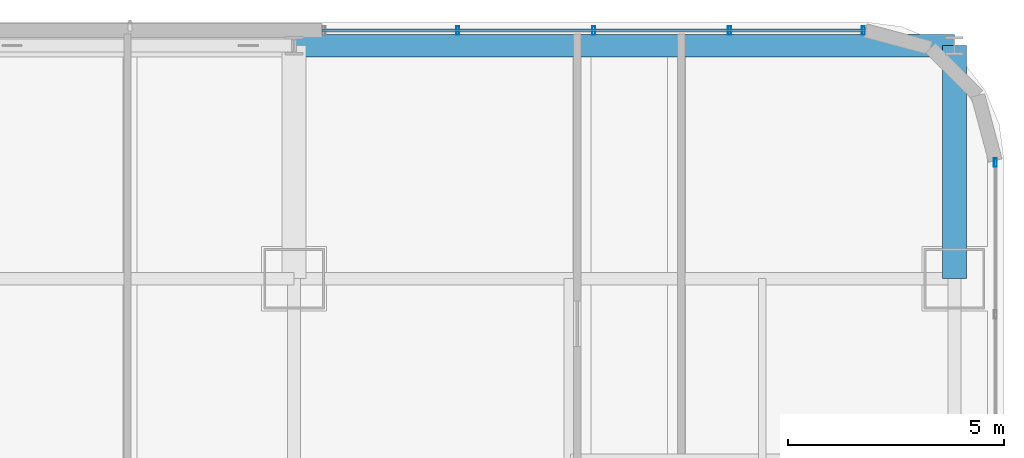
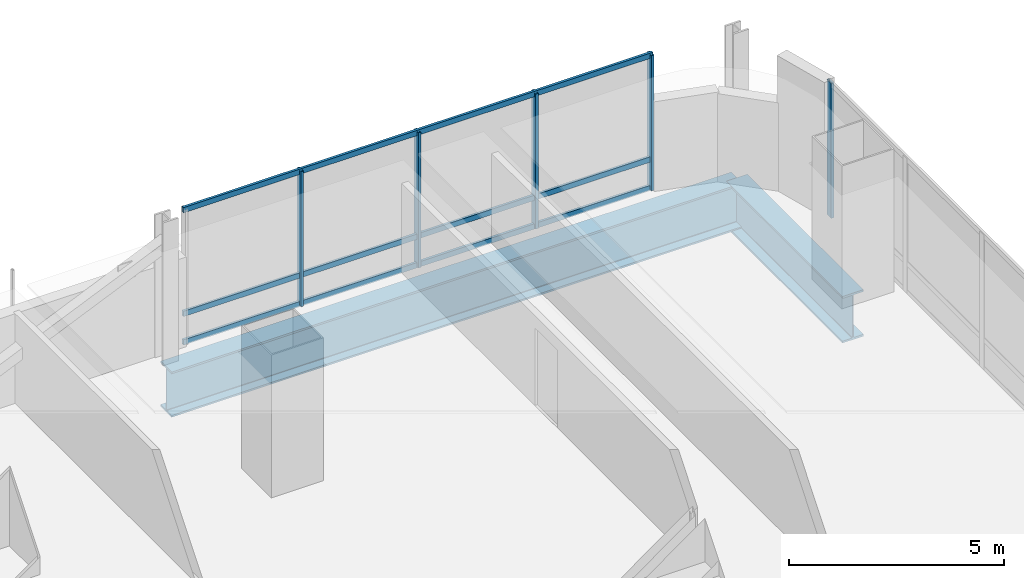
# One storey, part 25 of 38: 8 members, 2 beams, 2 elements without a shape of their own.
"""IFC4 building model written with IfcOpenShell, lengths in metres."""

from ifc_helpers import new_model, si_unit, direction, frame, origin, origin_2d, place, context, subcontext, project, spatial, hollow_rectangle, i_section, extrude, material, material_profile, profile_set, type_object, element, aggregate, save


model = new_model("IFC4")

# Units and contexts
model_context = context("Model", 3, precision=1e-05, world=origin(), true_north=direction((0.0, 1.0)))
body_context = subcontext(model_context, "Body", "Model", "MODEL_VIEW")
ifc_project = project(units=[si_unit("LENGTHUNIT", "METRE"), si_unit("AREAUNIT", "SQUARE_METRE"), si_unit("VOLUMEUNIT", "CUBIC_METRE"), si_unit("PLANEANGLEUNIT", "RADIAN"), si_unit("MASSUNIT", "GRAM", prefix="KILO")], contexts=[model_context])

# Site, building, storey
site_placement = place(None, origin())
site = spatial("IfcSite", under=ifc_project, at=site_placement, CompositionType="ELEMENT")
building_placement = place(site_placement, origin())
building = spatial("IfcBuilding", under=site, at=building_placement, Name="Punatoya Terracotta Tower", CompositionType="ELEMENT")
storey_placement = place(building_placement, frame((0.0, 0.0, 156.0)))
storey = spatial("IfcBuildingStorey", under=building, at=storey_placement, Name="L36", CompositionType="ELEMENT", Elevation=156.0)

# Beams
ifc_material_1 = material(Name="Steel S460", Category="steel")
ifc_material_profile_1 = material_profile(ifc_material_1, i_section(OverallWidth=0.56005859375, OverallDepth=1.320068359375, WebThickness=0.035888671875, FlangeThickness=0.054931640625, FilletRadius=0.01806640625, at=origin_2d()))
ifc_profile_set_1 = profile_set([ifc_material_profile_1], Name="Steel S460")
beam_type_1 = type_object("IfcBeamType", Name="BM-TG-BLK", PredefinedType="BEAM", material=ifc_profile_set_1)
beam_1_placement = place(storey_placement, frame((19.10009765625, 17.5, -0.8798828125), z_axis=(0.0, 1.0, 0.0), x_axis=(-1.0, 0.0, 0.0)))
element("IfcBeam", 1, at=beam_1_placement, inside=storey, type_object=beam_type_1, Name="BM-L36-CANT-N4", PredefinedType="BEAM", context=body_context, shape_type="SweptSolid", body=[
    extrude(i_section(OverallWidth=0.56005859375, OverallDepth=1.320068359375, WebThickness=0.035888671875, FlangeThickness=0.054931640625, FilletRadius=0.01806640625, at=origin_2d()), origin(), (0.0, 0.0, 1.0), 5.39990234375),
])
ifc_material_profile_2 = material_profile(ifc_material_1, i_section(OverallWidth=0.52001953125, OverallDepth=1.280029296875, WebThickness=0.031982421875, FlangeThickness=0.050048828125, FilletRadius=0.01806640625, at=origin_2d()))
ifc_profile_set_2 = profile_set([ifc_material_profile_2], Name="Steel S460")
beam_type_2 = type_object("IfcBeamType", Name="BM-TG-NCK", PredefinedType="BEAM", material=ifc_profile_set_2)
beam_2_placement = place(storey_placement, frame((3.800048828125, 22.89990234375, -0.860107421875), z_axis=(1.0, 0.0, 0.0), x_axis=(0.0, 1.0, 0.0)))
element("IfcBeam", 2, at=beam_2_placement, inside=storey, type_object=beam_type_2, Name="BM-L36-PER-N3", PredefinedType="BEAM", context=body_context, shape_type="SweptSolid", body=[
    extrude(i_section(OverallWidth=0.52001953125, OverallDepth=1.280029296875, WebThickness=0.031982421875, FlangeThickness=0.050048828125, FilletRadius=0.01806640625, at=origin_2d()), origin(), (0.0, 0.0, 1.0), 15.300048828125),
])

# Curtain wall, member
ifc_material_2 = material(Name="Aluminium 6063-T6 + Double Low-E Glass", Category="aluminium")
curtain_wall_type = type_object("IfcCurtainWallType", Name="CW-M2", PredefinedType="NOTDEFINED", material=ifc_material_2)
curtain_wall_1_placement = place(storey_placement, origin())
curtain_wall_1 = element("IfcCurtainWall", 3, at=curtain_wall_1_placement, inside=storey, type_object=curtain_wall_type, Name="L36 Curtain Wall CW-L36-E05-1", PredefinedType="NOTDEFINED")
ifc_material_3 = material(Name="Aluminium 6063-T6", Category="aluminium")
ifc_material_profile_3 = material_profile(ifc_material_3, hollow_rectangle(XDim=0.072021484375, YDim=0.195068359375, WallThickness=0.00439453125, at=origin_2d()))
ifc_profile_set_3 = profile_set([ifc_material_profile_3], Name="Aluminium 6063-T6")
member_type_1 = type_object("IfcMemberType", Name="CW-MUL-M2", PredefinedType="MULLION", material=ifc_profile_set_3)
member_1_placement = place(storey_placement, frame((20.050048828125, 20.19189453125, 0.0), z_axis=(0.0, 0.0, 1.0), x_axis=(1.0, 0.0, 0.0)))
member_1 = element("IfcMember", 4, at=member_1_placement, type_object=member_type_1, Name="CW-L36-E05-1 Mullion 10", PredefinedType="MULLION", context=body_context, shape_type="SweptSolid", body=[
    extrude(hollow_rectangle(XDim=0.072021484375, YDim=0.195068359375, WallThickness=0.00439453125, at=origin_2d()), origin(), (0.0, 0.0, 1.0), 3.830078125),
])
aggregate(curtain_wall_1, [member_1])

# Curtain wall, members
curtain_wall_2_placement = place(storey_placement, origin())
curtain_wall_2 = element("IfcCurtainWall", 5, at=curtain_wall_2_placement, inside=storey, type_object=curtain_wall_type, Name="L36 Curtain Wall CW-L36-N09-1", PredefinedType="NOTDEFINED")
member_2_placement = place(storey_placement, frame((16.991943359375, 23.25, 0.0), z_axis=(0.0, 0.0, 1.0), x_axis=(1.0, 0.0, 0.0)))
member_2 = element("IfcMember", 6, at=member_2_placement, type_object=member_type_1, Name="CW-L36-N09-1 Mullion 00", PredefinedType="MULLION", context=body_context, shape_type="SweptSolid", body=[
    extrude(hollow_rectangle(XDim=0.072021484375, YDim=0.195068359375, WallThickness=0.00439453125, at=origin_2d()), origin(), (0.0, 0.0, 1.0), 3.830078125),
])
member_3_placement = place(storey_placement, frame((13.89013671875, 23.25, 0.0), z_axis=(0.0, 0.0, 1.0), x_axis=(1.0, 0.0, 0.0)))
member_3 = element("IfcMember", 7, at=member_3_placement, type_object=member_type_1, Name="CW-L36-N09-1 Mullion 01", PredefinedType="MULLION", context=body_context, shape_type="SweptSolid", body=[
    extrude(hollow_rectangle(XDim=0.072021484375, YDim=0.195068359375, WallThickness=0.00439453125, at=origin_2d()), origin(), (0.0, 0.0, 1.0), 3.830078125),
])
member_4_placement = place(storey_placement, frame((10.743408203125, 23.25, 0.0), z_axis=(0.0, 0.0, 1.0), x_axis=(1.0, 0.0, 0.0)))
member_4 = element("IfcMember", 8, at=member_4_placement, type_object=member_type_1, Name="CW-L36-N09-1 Mullion 02", PredefinedType="MULLION", context=body_context, shape_type="SweptSolid", body=[
    extrude(hollow_rectangle(XDim=0.072021484375, YDim=0.195068359375, WallThickness=0.00439453125, at=origin_2d()), origin(), (0.0, 0.0, 1.0), 3.830078125),
])
member_5_placement = place(storey_placement, frame((7.5966796875, 23.25, 0.0), z_axis=(0.0, 0.0, 1.0), x_axis=(1.0, 0.0, 0.0)))
member_5 = element("IfcMember", 9, at=member_5_placement, type_object=member_type_1, Name="CW-L36-N09-1 Mullion 03", PredefinedType="MULLION", context=body_context, shape_type="SweptSolid", body=[
    extrude(hollow_rectangle(XDim=0.072021484375, YDim=0.195068359375, WallThickness=0.00439453125, at=origin_2d()), origin(), (0.0, 0.0, 1.0), 3.830078125),
])
ifc_material_profile_4 = material_profile(ifc_material_3, hollow_rectangle(XDim=0.068115234375, YDim=0.14990234375, WallThickness=0.00390625, at=origin_2d()))
ifc_profile_set_4 = profile_set([ifc_material_profile_4], Name="Aluminium 6063-T6")
member_type_2 = type_object("IfcMemberType", Name="CW-TRN-TYP", PredefinedType="USERDEFINED", material=ifc_profile_set_4)
member_6_placement = place(storey_placement, frame((17.036865234375, 23.25, 0.0400390625), z_axis=(-1.0, 0.0, 0.0), x_axis=(0.0, -1.0, 0.0)))
member_6 = element("IfcMember", 10, at=member_6_placement, type_object=member_type_2, Name="CW-L36-N09-1 Transom 1", ObjectType="TRANSOM", PredefinedType="USERDEFINED", context=body_context, shape_type="SweptSolid", body=[
    extrude(hollow_rectangle(XDim=0.068115234375, YDim=0.14990234375, WallThickness=0.00390625, at=origin_2d()), origin(), (0.0, 0.0, 1.0), 12.5869140625),
])
member_7_placement = place(storey_placement, frame((17.036865234375, 23.25, 0.85009765625), z_axis=(-1.0, 0.0, 0.0), x_axis=(0.0, -1.0, 0.0)))
member_7 = element("IfcMember", 11, at=member_7_placement, type_object=member_type_2, Name="CW-L36-N09-1 Transom 2", ObjectType="TRANSOM", PredefinedType="USERDEFINED", context=body_context, shape_type="SweptSolid", body=[
    extrude(hollow_rectangle(XDim=0.068115234375, YDim=0.14990234375, WallThickness=0.00390625, at=origin_2d()), origin(), (0.0, 0.0, 1.0), 12.5869140625),
])
member_8_placement = place(storey_placement, frame((17.036865234375, 23.25, 3.7900390625), z_axis=(-1.0, 0.0, 0.0), x_axis=(0.0, -1.0, 0.0)))
member_8 = element("IfcMember", 12, at=member_8_placement, type_object=member_type_2, Name="CW-L36-N09-1 Transom 3", ObjectType="TRANSOM", PredefinedType="USERDEFINED", context=body_context, shape_type="SweptSolid", body=[
    extrude(hollow_rectangle(XDim=0.068115234375, YDim=0.14990234375, WallThickness=0.00390625, at=origin_2d()), origin(), (0.0, 0.0, 1.0), 12.5869140625),
])
aggregate(curtain_wall_2, [member_2, member_3, member_4, member_5, member_6, member_7, member_8])

save(model, "model.ifc")
